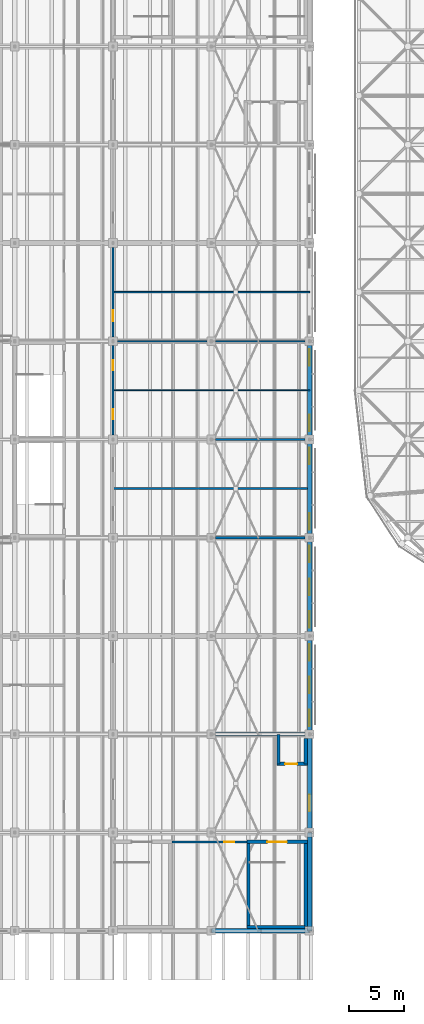
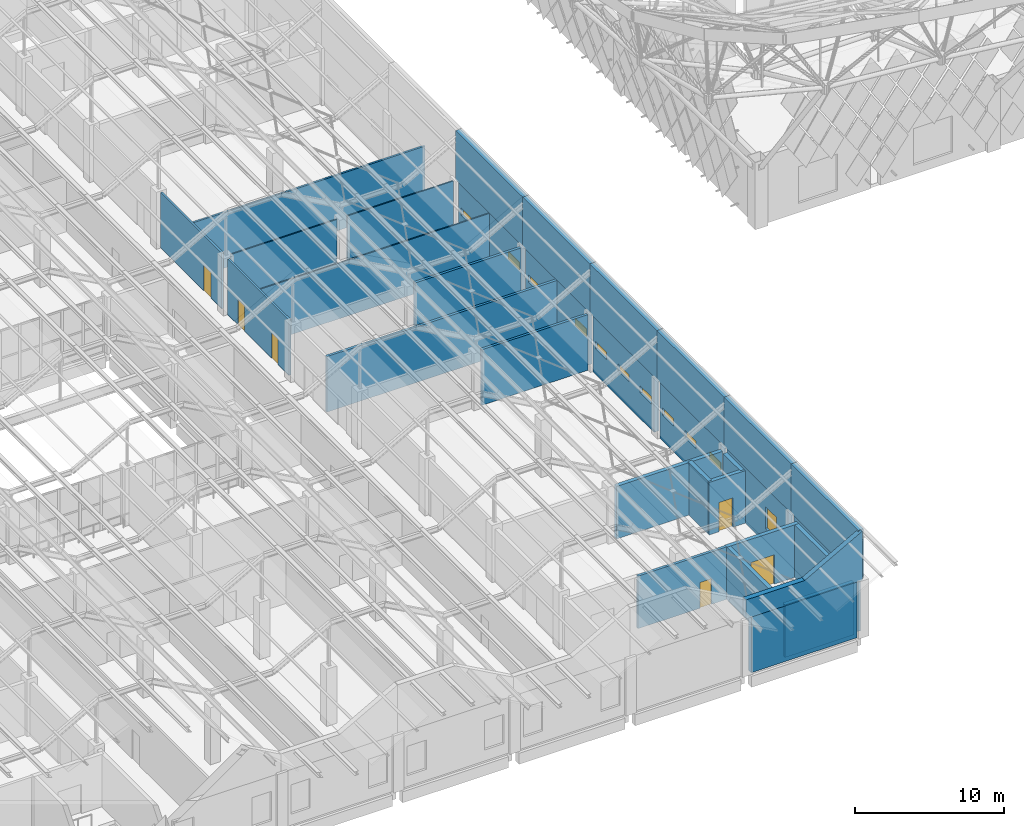
# One storey, part 266 of 437: 32 walls, 11 windows, 6 doors, 17 openings.
"""IFC4 building model written with IfcOpenShell, lengths in metres."""

from ifc_helpers import new_model, si_unit, direction, frame, frame_2d, origin, place, context, subcontext, project, spatial, polyline, rectangle, outline, extrude, material, layer, layer_set, type_object, element, fill, save


model = new_model("IFC4")

# Units and contexts
model_context = context("Model", 3, precision=1e-05, world=origin(), true_north=direction((0.0, 1.0)))
body_context = subcontext(model_context, "Body", "Model", "MODEL_VIEW")
ifc_project = project(units=[si_unit("LENGTHUNIT", "METRE"), si_unit("AREAUNIT", "SQUARE_METRE"), si_unit("VOLUMEUNIT", "CUBIC_METRE"), si_unit("PLANEANGLEUNIT", "RADIAN"), si_unit("MASSUNIT", "GRAM", prefix="KILO")], contexts=[model_context])

# Site, building, storey
site_placement = place(None, origin())
site = spatial("IfcSite", under=ifc_project, at=site_placement, CompositionType="ELEMENT")
building_placement = place(site_placement, origin())
building = spatial("IfcBuilding", under=site, at=building_placement, Name="Opaline Strait Convention Centre", CompositionType="ELEMENT")
storey_placement = place(building_placement, frame((0.0, 0.0, 11.5)))
storey = spatial("IfcBuildingStorey", under=building, at=storey_placement, Name="L02", CompositionType="ELEMENT", Elevation=11.5)

# Wall, opening, door
ifc_material_1 = material(Name="Gypsum board on metal studs with mineral wool")
ifc_layer_1 = layer(ifc_material_1, 0.199951171875)
ifc_layer_set_1 = layer_set([ifc_layer_1], Name="Gypsum board on metal studs with mineral wool")
wall_type_1 = type_object("IfcWallType", Name="Fire partition 200", PredefinedType="PARTITIONING", material=ifc_layer_set_1)
wall_1_placement = place(storey_placement, frame((75.25, 17.14990234375, 0.0), z_axis=(0.0, 0.0, 1.0), x_axis=(-1.0, 0.0, 0.0)))
wall_1 = element("IfcWall", 1, at=wall_1_placement, inside=storey, type_object=wall_type_1, Name="SE core STORE-N wall", PredefinedType="PARTITIONING", context=body_context, shape_type="SweptSolid", body=[
    extrude(rectangle(XDim=6.85009765625, YDim=0.199951171875, at=frame_2d((3.425048828125, 0.0))), origin(), (0.0, 0.0, 1.0), 4.300048828125),
])
opening_1_placement = place(wall_1_placement, frame((1.14990234375, 0.0, 0.0)))
opening_1 = element("IfcOpeningElement", 2, at=opening_1_placement, cuts=wall_1, Name="Opening R2-009", PredefinedType="OPENING", context=body_context, shape_type="SweptSolid", body=[
    extrude(rectangle(XDim=0.89990234375, YDim=2.10009765625, at=frame_2d((0.449951171875, 1.050048828125))), frame((0.0, 0.10986328125, 0.0), z_axis=(0.0, -1.0, 0.0), x_axis=(1.0, 0.0, 0.0)), (0.0, 0.0, 1.0), 0.219970703125),
])
ifc_material_2 = material(Name="Galvanised steel door leaf", Category="steel")
door_type_1 = type_object("IfcDoorType", Name="Services store door 900x2100 FD60", OperationType="SINGLE_SWING_LEFT", PredefinedType="DOOR", material=ifc_material_2)
door_1_placement = place(opening_1_placement, frame((0.89990234375, 0.0, 0.0), z_axis=(0.0, 0.0, 1.0), x_axis=(-1.0, 0.0, 0.0)))
door_1 = element("IfcDoor", 3, at=door_1_placement, inside=storey, type_object=door_type_1, Name="Services store door SE R2-009", ObjectType="RD8", OperationType="SINGLE_SWING_LEFT", OverallHeight=2.10009765625, OverallWidth=0.89990234375, PredefinedType="DOOR", context=body_context, shape_type="SweptSolid", body=[
    extrude(rectangle(XDim=0.89990234375, YDim=2.10009765625, at=frame_2d((0.449951171875, 1.050048828125))), frame((0.0, 0.02490234375, 0.0), z_axis=(0.0, -1.0, 0.0), x_axis=(1.0, 0.0, 0.0)), (0.0, 0.0, 1.0), 0.050048828125),
])
fill(opening_1, door_1)

# Walls
wall_2_placement = place(storey_placement, frame((72.39990234375, 45.0, 0.0), z_axis=(0.0, 0.0, 1.0), x_axis=(1.0, 0.0, 0.0)))
element("IfcWall", 4, at=wall_2_placement, inside=storey, type_object=wall_type_1, Name="L02 partition", PredefinedType="PARTITIONING", context=body_context, shape_type="SweptSolid", body=[
    extrude(rectangle(XDim=8.2001953125, YDim=0.199951171875, at=frame_2d((4.10009765625, 0.0))), origin(), (0.0, 0.0, 1.0), 4.550048828125),
])
wall_3_placement = place(storey_placement, frame((63.0, 49.5, 0.0), z_axis=(0.0, 0.0, 1.0), x_axis=(1.0, 0.0, 0.0)))
element("IfcWall", 5, at=wall_3_placement, inside=storey, type_object=wall_type_1, Name="L02 partition", PredefinedType="PARTITIONING", context=body_context, shape_type="SweptSolid", body=[
    extrude(rectangle(XDim=18.0, YDim=0.199951171875, at=frame_2d((9.0, 0.0))), origin(), (0.0, 0.0, 1.0), 4.550048828125),
])
wall_4_placement = place(storey_placement, frame((72.39990234375, 54.0, 0.0), z_axis=(0.0, 0.0, 1.0), x_axis=(1.0, 0.0, 0.0)))
element("IfcWall", 6, at=wall_4_placement, inside=storey, type_object=wall_type_1, Name="L02 partition", PredefinedType="PARTITIONING", context=body_context, shape_type="SweptSolid", body=[
    extrude(rectangle(XDim=8.2001953125, YDim=0.199951171875, at=frame_2d((4.10009765625, 0.0))), origin(), (0.0, 0.0, 1.0), 4.550048828125),
])
ifc_layer_2 = layer(ifc_material_1, 0.10009765625)
ifc_layer_set_2 = layer_set([ifc_layer_2], Name="Gypsum board on metal studs with mineral wool")
wall_type_2 = type_object("IfcWallType", Name="Light partition 100", PredefinedType="PARTITIONING", material=ifc_layer_set_2)
wall_5_placement = place(storey_placement, frame((63.0, 58.5, 0.0), z_axis=(0.0, 0.0, 1.0), x_axis=(1.0, 0.0, 0.0)))
element("IfcWall", 7, at=wall_5_placement, inside=storey, type_object=wall_type_2, Name="L02 partition", PredefinedType="PARTITIONING", context=body_context, shape_type="SweptSolid", body=[
    extrude(rectangle(XDim=18.0, YDim=0.10009765625, at=frame_2d((9.0, 0.0))), origin(), (0.0, 0.0, 1.0), 4.550048828125),
])
for number, where, z_axis, x_axis, name in (
    (8, (63.39990234375, 63.0, 0.0), (0.0, 0.0, 1.0), (1.0, 0.0, 0.0), "L02 partition"),
    (9, (72.39990234375, 63.0, 0.0), (0.0, 0.0, 1.0), (1.0, 0.0, 0.0), "L02 partition"),
):
    element("IfcWall", number, at=place(storey_placement, frame(where, z_axis=z_axis, x_axis=x_axis)), inside=storey, type_object=wall_type_2, Name=name, PredefinedType="PARTITIONING", context=body_context, shape_type="SweptSolid", body=[
        extrude(rectangle(XDim=8.2001953125, YDim=0.10009765625, at=frame_2d((4.10009765625, 0.0))), origin(), (0.0, 0.0, 1.0), 4.550048828125),
    ])
ifc_layer_3 = layer(ifc_material_1, 0.14990234375)
ifc_layer_set_3 = layer_set([ifc_layer_3], Name="Gypsum board on metal studs with mineral wool")
wall_type_3 = type_object("IfcWallType", Name="Partition 150", PredefinedType="PARTITIONING", material=ifc_layer_set_3)
wall_6_placement = place(storey_placement, frame((63.0, 67.5, 0.0), z_axis=(0.0, 0.0, 1.0), x_axis=(1.0, 0.0, 0.0)))
element("IfcWall", 10, at=wall_6_placement, inside=storey, type_object=wall_type_3, Name="L02 partition", PredefinedType="PARTITIONING", context=body_context, shape_type="SweptSolid", body=[
    extrude(rectangle(XDim=18.0, YDim=0.14990234375, at=frame_2d((9.0, 0.0))), origin(), (0.0, 0.0, 1.0), 4.550048828125),
])

# Wall, openings, doors
wall_7_placement = place(storey_placement, frame((63.0, 54.39990234375, 0.0), z_axis=(0.0, 0.0, 1.0), x_axis=(0.0, 1.0, 0.0)))
wall_7 = element("IfcWall", 11, at=wall_7_placement, inside=storey, type_object=wall_type_3, Name="L02 partition", PredefinedType="PARTITIONING", context=body_context, shape_type="SweptSolid", body=[
    extrude(rectangle(XDim=8.2001953125, YDim=0.14990234375, at=frame_2d((4.10009765625, 0.0))), origin(), (0.0, 0.0, 1.0), 4.550048828125),
])
opening_2_placement = place(wall_7_placement, frame((1.449951171875, 0.0, 0.0)))
opening_2 = element("IfcOpeningElement", 12, at=opening_2_placement, cuts=wall_7, Name="Opening R2-049", PredefinedType="OPENING", context=body_context, shape_type="SweptSolid", body=[
    extrude(rectangle(XDim=0.89990234375, YDim=2.10009765625, at=frame_2d((0.449951171875, 1.050048828125))), frame((0.0, 0.0849609375, 0.0), z_axis=(0.0, -1.0, 0.0), x_axis=(1.0, 0.0, 0.0)), (0.0, 0.0, 1.0), 0.169921875),
])
opening_3_placement = place(wall_7_placement, frame((5.949951171875, 0.0, 0.0)))
opening_3 = element("IfcOpeningElement", 13, at=opening_3_placement, cuts=wall_7, Name="Opening R2-050", PredefinedType="OPENING", context=body_context, shape_type="SweptSolid", body=[
    extrude(rectangle(XDim=0.89990234375, YDim=2.10009765625, at=frame_2d((0.449951171875, 1.050048828125))), frame((0.0, 0.0849609375, 0.0), z_axis=(0.0, -1.0, 0.0), x_axis=(1.0, 0.0, 0.0)), (0.0, 0.0, 1.0), 0.169921875),
])
ifc_material_3 = material(Name="Timber door leaf in steel frame", Category="steel")
door_type_2 = type_object("IfcDoorType", Name="Toilet door 900x2100 FD30", OperationType="SINGLE_SWING_LEFT", PredefinedType="DOOR", material=ifc_material_3)
door_2_placement = place(opening_2_placement, frame((0.89990234375, 0.0, 0.0), z_axis=(0.0, 0.0, 1.0), x_axis=(-1.0, 0.0, 0.0)))
door_2 = element("IfcDoor", 14, at=door_2_placement, inside=storey, type_object=door_type_2, Name="Public Toilets Men door R2-049", ObjectType="RD11", OperationType="SINGLE_SWING_LEFT", OverallHeight=2.10009765625, OverallWidth=0.89990234375, PredefinedType="DOOR", context=body_context, shape_type="SweptSolid", body=[
    extrude(rectangle(XDim=0.89990234375, YDim=2.10009765625, at=frame_2d((0.449951171875, 1.050048828125))), frame((0.0, 0.02490234375, 0.0), z_axis=(0.0, -1.0, 0.0), x_axis=(1.0, 0.0, 0.0)), (0.0, 0.0, 1.0), 0.050048828125),
])
fill(opening_2, door_2)
door_3_placement = place(opening_3_placement, frame((0.89990234375, 0.0, 0.0), z_axis=(0.0, 0.0, 1.0), x_axis=(-1.0, 0.0, 0.0)))
door_3 = element("IfcDoor", 15, at=door_3_placement, inside=storey, type_object=door_type_2, Name="Public Toilets Women door R2-050", ObjectType="RD11", OperationType="SINGLE_SWING_LEFT", OverallHeight=2.10009765625, OverallWidth=0.89990234375, PredefinedType="DOOR", context=body_context, shape_type="SweptSolid", body=[
    extrude(rectangle(XDim=0.89990234375, YDim=2.10009765625, at=frame_2d((0.449951171875, 1.050048828125))), frame((0.0, 0.02490234375, 0.0), z_axis=(0.0, -1.0, 0.0), x_axis=(1.0, 0.0, 0.0)), (0.0, 0.0, 1.0), 0.050048828125),
])
fill(opening_3, door_3)

# Wall, opening, door
wall_8_placement = place(storey_placement, frame((63.0, 63.39990234375, 0.0), z_axis=(0.0, 0.0, 1.0), x_axis=(0.0, 1.0, 0.0)))
wall_8 = element("IfcWall", 16, at=wall_8_placement, inside=storey, type_object=wall_type_3, Name="L02 partition", PredefinedType="PARTITIONING", context=body_context, shape_type="SweptSolid", body=[
    extrude(rectangle(XDim=8.2001953125, YDim=0.14990234375, at=frame_2d((4.10009765625, 0.0))), origin(), (0.0, 0.0, 1.0), 4.550048828125),
])
opening_4_placement = place(wall_8_placement, frame((1.449951171875, 0.0, 0.0)))
opening_4 = element("IfcOpeningElement", 17, at=opening_4_placement, cuts=wall_8, Name="Opening R2-051", PredefinedType="OPENING", context=body_context, shape_type="SweptSolid", body=[
    extrude(rectangle(XDim=1.0, YDim=2.10009765625, at=frame_2d((0.5, 1.050048828125))), frame((0.0, 0.0849609375, 0.0), z_axis=(0.0, -1.0, 0.0), x_axis=(1.0, 0.0, 0.0)), (0.0, 0.0, 1.0), 0.169921875),
])
door_type_3 = type_object("IfcDoorType", Name="Accessible toilet door 1000x2100 FD30", OperationType="SINGLE_SWING_LEFT", PredefinedType="DOOR", material=ifc_material_3)
door_4_placement = place(opening_4_placement, frame((1.0, 0.0, 0.0), z_axis=(0.0, 0.0, 1.0), x_axis=(-1.0, 0.0, 0.0)))
door_4 = element("IfcDoor", 18, at=door_4_placement, inside=storey, type_object=door_type_3, Name="Accessible WC door R2-051", ObjectType="RD13", OperationType="SINGLE_SWING_LEFT", OverallHeight=2.10009765625, OverallWidth=1.0, PredefinedType="DOOR", context=body_context, shape_type="SweptSolid", body=[
    extrude(rectangle(XDim=1.0, YDim=2.10009765625, at=frame_2d((0.5, 1.050048828125))), frame((0.0, 0.02490234375, 0.0), z_axis=(0.0, -1.0, 0.0), x_axis=(1.0, 0.0, 0.0)), (0.0, 0.0, 1.0), 0.050048828125),
])
fill(opening_4, door_4)

# Wall
ifc_material_4 = material(Name="Concrete C40", Category="concrete")
ifc_layer_4 = layer(ifc_material_4, 0.300048828125)
ifc_layer_set_4 = layer_set([ifc_layer_4], Name="Concrete C40")
wall_type_4 = type_object("IfcWallType", Name="RC wall 300 C40", PredefinedType="SOLIDWALL", material=ifc_layer_set_4)
wall_9_placement = place(storey_placement, frame((80.60009765625, 9.35009765625, 0.0), z_axis=(0.0, 0.0, 1.0), x_axis=(-1.0, 0.0, 0.0)))
element("IfcWall", 19, at=wall_9_placement, inside=storey, type_object=wall_type_4, Name="SE core STA-S wall", PredefinedType="SOLIDWALL", context=body_context, shape_type="SweptSolid", body=[
    extrude(rectangle(XDim=5.35009765625, YDim=0.300048828125, at=frame_2d((2.675048828125, 0.0))), origin(), (0.0, 0.0, 1.0), 4.300048828125),
])

# Wall, opening, door
wall_10_placement = place(storey_placement, frame((80.800048828125, 17.14990234375, 0.0), z_axis=(0.0, 0.0, 1.0), x_axis=(-1.0, 0.0, 0.0)))
wall_10 = element("IfcWall", 20, at=wall_10_placement, inside=storey, type_object=wall_type_4, Name="SE core STA-N wall", PredefinedType="SOLIDWALL", context=body_context, shape_type="SweptSolid", body=[
    extrude(rectangle(XDim=5.550048828125, YDim=0.300048828125, at=frame_2d((2.77490234375, 0.0))), origin(), (0.0, 0.0, 1.0), 4.300048828125),
])
opening_5_placement = place(wall_10_placement, frame((1.875, 0.0, 0.0)))
opening_5 = element("IfcOpeningElement", 21, at=opening_5_placement, cuts=wall_10, Name="Opening R2-007", PredefinedType="OPENING", context=body_context, shape_type="SweptSolid", body=[
    extrude(rectangle(XDim=1.800048828125, YDim=2.39990234375, at=frame_2d((0.89990234375, 1.199951171875))), frame((0.0, 0.159912109375, 0.0), z_axis=(0.0, -1.0, 0.0), x_axis=(1.0, 0.0, 0.0)), (0.0, 0.0, 1.0), 0.320068359375),
])
ifc_material_5 = material(Name="Timber door leaves in steel frame", Category="steel")
door_type_4 = type_object("IfcDoorType", Name="Stair door 1800x2400 double FD60", OperationType="DOUBLE_DOOR_SINGLE_SWING", PredefinedType="DOOR", material=ifc_material_5)
door_5_placement = place(opening_5_placement, frame((1.800048828125, 0.0, 0.0), z_axis=(0.0, 0.0, 1.0), x_axis=(-1.0, 0.0, 0.0)))
door_5 = element("IfcDoor", 22, at=door_5_placement, inside=storey, type_object=door_type_4, Name="Stair door SEA R2-007", ObjectType="RD7", OperationType="DOUBLE_DOOR_SINGLE_SWING", OverallHeight=2.39990234375, OverallWidth=1.800048828125, PredefinedType="DOOR", context=body_context, shape_type="SweptSolid", body=[
    extrude(rectangle(XDim=1.800048828125, YDim=2.39990234375, at=frame_2d((0.89990234375, 1.199951171875))), frame((0.0, 0.02490234375, 0.0), z_axis=(0.0, -1.0, 0.0), x_axis=(1.0, 0.0, 0.0)), (0.0, 0.0, 1.0), 0.050048828125),
])
fill(opening_5, door_5)

# Walls
wall_11_placement = place(storey_placement, frame((80.64990234375, 9.39990234375, 0.0), z_axis=(0.0, 0.0, 1.0), x_axis=(0.0, 1.0, 0.0)))
element("IfcWall", 23, at=wall_11_placement, inside=storey, type_object=wall_type_4, Name="SE core STA-W wall", PredefinedType="SOLIDWALL", context=body_context, shape_type="SweptSolid", body=[
    extrude(rectangle(XDim=7.900146484375, YDim=0.300048828125, at=frame_2d((3.9501953125, 0.0))), origin(), (0.0, 0.0, 1.0), 4.300048828125),
])
wall_12_placement = place(storey_placement, frame((75.39990234375, 9.199951171875, 0.0), z_axis=(0.0, 0.0, 1.0), x_axis=(0.0, 1.0, 0.0)))
element("IfcWall", 24, at=wall_12_placement, inside=storey, type_object=wall_type_4, Name="SE core STA-E wall", PredefinedType="SOLIDWALL", context=body_context, shape_type="SweptSolid", body=[
    extrude(rectangle(XDim=8.10009765625, YDim=0.300048828125, at=frame_2d((4.050048828125, 0.0))), origin(), (0.0, 0.0, 1.0), 4.300048828125),
])
wall_13_placement = place(storey_placement, frame((80.60009765625, 27.0, 0.0), z_axis=(0.0, 0.0, 1.0), x_axis=(-1.0, 0.0, 0.0)))
element("IfcWall", 25, at=wall_13_placement, inside=storey, type_object=wall_type_4, Name="SE core BND-N wall", PredefinedType="SOLIDWALL", context=body_context, shape_type="SweptSolid", body=[
    extrude(rectangle(XDim=8.2001953125, YDim=0.300048828125, at=frame_2d((4.10009765625, 0.0))), origin(), (0.0, 0.0, 1.0), 4.300048828125),
])

# Wall, opening, door
wall_14_placement = place(storey_placement, frame((80.800048828125, 24.300048828125, 0.0), z_axis=(0.0, 0.0, 1.0), x_axis=(-1.0, 0.0, 0.0)))
wall_14 = element("IfcWall", 26, at=wall_14_placement, inside=storey, type_object=wall_type_4, Name="SE core LIFT-S wall", PredefinedType="SOLIDWALL", context=body_context, shape_type="SweptSolid", body=[
    extrude(rectangle(XDim=2.800048828125, YDim=0.300048828125, at=frame_2d((1.39990234375, 0.0))), origin(), (0.0, 0.0, 1.0), 4.300048828125),
])
opening_6_placement = place(wall_14_placement, frame((0.949951171875, 0.0, 0.0)))
opening_6 = element("IfcOpeningElement", 27, at=opening_6_placement, cuts=wall_14, Name="Opening R2-011", PredefinedType="OPENING", context=body_context, shape_type="SweptSolid", body=[
    extrude(rectangle(XDim=1.10009765625, YDim=2.39990234375, at=frame_2d((0.550048828125, 1.199951171875))), frame((0.0, 0.159912109375, 0.0), z_axis=(0.0, -1.0, 0.0), x_axis=(1.0, 0.0, 0.0)), (0.0, 0.0, 1.0), 0.320068359375),
])
ifc_material_6 = material(Name="Stainless steel 304 door leaves", Category="steel")
door_type_5 = type_object("IfcDoorType", Name="Lift landing door 1100x2400 sliding FD60", OperationType="SLIDING_TO_LEFT", PredefinedType="DOOR", material=ifc_material_6)
door_6_placement = place(opening_6_placement, origin())
door_6 = element("IfcDoor", 28, at=door_6_placement, inside=storey, type_object=door_type_5, Name="Lift landing door SEP R2-011", ObjectType="LD1", OperationType="SLIDING_TO_LEFT", OverallHeight=2.39990234375, OverallWidth=1.10009765625, PredefinedType="DOOR", context=body_context, shape_type="SweptSolid", body=[
    extrude(rectangle(XDim=1.10009765625, YDim=2.39990234375, at=frame_2d((0.550048828125, 1.199951171875))), frame((0.0, 0.02490234375, 0.0), z_axis=(0.0, -1.0, 0.0), x_axis=(1.0, 0.0, 0.0)), (0.0, 0.0, 1.0), 0.050048828125),
])
fill(opening_6, door_6)

# Walls
wall_15_placement = place(storey_placement, frame((78.14990234375, 24.300048828125, 0.0), z_axis=(0.0, 0.0, 1.0), x_axis=(0.0, 1.0, 0.0)))
element("IfcWall", 29, at=wall_15_placement, inside=storey, type_object=wall_type_4, Name="SE core LIFT-M wall", PredefinedType="SOLIDWALL", context=body_context, shape_type="SweptSolid", body=[
    extrude(rectangle(XDim=2.699951171875, YDim=0.300048828125, at=frame_2d((1.35009765625, 0.0))), origin(), (0.0, 0.0, 1.0), 4.300048828125),
])
wall_16_placement = place(storey_placement, frame((80.64990234375, 24.300048828125, 0.0), z_axis=(0.0, 0.0, 1.0), x_axis=(0.0, 1.0, 0.0)))
element("IfcWall", 30, at=wall_16_placement, inside=storey, type_object=wall_type_4, Name="SE core LIFT-W wall", PredefinedType="SOLIDWALL", context=body_context, shape_type="SweptSolid", body=[
    extrude(rectangle(XDim=2.300048828125, YDim=0.300048828125, at=frame_2d((1.14990234375, 0.0))), origin(), (0.0, 0.0, 1.0), 4.300048828125),
])
ifc_layer_5 = layer(ifc_material_4, 0.320068359375)
ifc_material_7 = material(Name="Mineral wool insulation")
ifc_layer_6 = layer(ifc_material_7, 0.050048828125)
ifc_material_8 = material(Name="Gypsum board lining")
ifc_layer_7 = layer(ifc_material_8, 0.030029296875)
ifc_layer_set_5 = layer_set([ifc_layer_5, ifc_layer_6, ifc_layer_7], Name="Concrete C40, Mineral wool insulation, Gypsum board lining")
wall_type_5 = type_object("IfcWallType", Name="RC wall 400 C40", PredefinedType="SOLIDWALL", material=ifc_layer_set_5)
wall_17_placement = place(storey_placement, frame((72.0, 9.0, 4.550048828125), z_axis=(0.0, 0.0, 1.0), x_axis=(1.0, 0.0, 0.0)))
element("IfcWall", 31, at=wall_17_placement, inside=storey, type_object=wall_type_5, Name="S roof infill wall 8", PredefinedType="SOLIDWALL", context=body_context, shape_type="SweptSolid", body=[
    extrude(outline(polyline([(0.0, 0.0), (9.0, 0.0), (9.0, 4.0283203125), (4.538818359375, 1.550048828125), (0.0, 1.550048828125), (0.0, 0.0)])), frame((0.0, 0.199951171875, 0.0), z_axis=(0.0, -1.0, 0.0), x_axis=(1.0, 0.0, 0.0)), (0.0, 0.0, 1.0), 0.39990234375),
])
for number, where, z_axis, x_axis, name in (
    (32, (81.0, 9.0, 4.550048828125), (0.0, 0.0, 1.0), (0.0, 1.0, 0.0), "E roof infill wall 1"),
    (33, (81.0, 18.0, 4.550048828125), (0.0, 0.0, 1.0), (0.0, 1.0, 0.0), "E roof infill wall 2"),
    (34, (81.0, 27.0, 4.550048828125), (0.0, 0.0, 1.0), (0.0, 1.0, 0.0), "E roof infill wall 3"),
    (35, (81.0, 36.0, 4.550048828125), (0.0, 0.0, 1.0), (0.0, 1.0, 0.0), "E roof infill wall 4"),
    (36, (81.0, 45.0, 4.550048828125), (0.0, 0.0, 1.0), (0.0, 1.0, 0.0), "E roof infill wall 5"),
    (37, (81.0, 54.0, 4.550048828125), (0.0, 0.0, 1.0), (0.0, 1.0, 0.0), "E roof infill wall 6"),
):
    element("IfcWall", number, at=place(storey_placement, frame(where, z_axis=z_axis, x_axis=x_axis)), inside=storey, type_object=wall_type_5, Name=name, PredefinedType="SOLIDWALL", context=body_context, shape_type="SweptSolid", body=[
        extrude(rectangle(XDim=9.0, YDim=0.39990234375, at=frame_2d((4.5, 0.0))), origin(), (0.0, 0.0, 1.0), 4.0283203125),
    ])
for number, where, z_axis, x_axis, name in (
    (38, (72.39990234375, 9.0, 0.0), (0.0, 0.0, 1.0), (1.0, 0.0, 0.0), "L02 S external wall 8"),
    (39, (81.0, 9.39990234375, 0.0), (0.0, 0.0, 1.0), (0.0, 1.0, 0.0), "L02 E external wall 1"),
):
    element("IfcWall", number, at=place(storey_placement, frame(where, z_axis=z_axis, x_axis=x_axis)), inside=storey, type_object=wall_type_5, Name=name, PredefinedType="SOLIDWALL", context=body_context, shape_type="SweptSolid", body=[
        extrude(rectangle(XDim=8.2001953125, YDim=0.39990234375, at=frame_2d((4.10009765625, 0.0))), origin(), (0.0, 0.0, 1.0), 4.550048828125),
    ])

# Wall, opening, window
wall_18_placement = place(storey_placement, frame((81.0, 18.39990234375, 0.0), z_axis=(0.0, 0.0, 1.0), x_axis=(0.0, 1.0, 0.0)))
wall_18 = element("IfcWall", 40, at=wall_18_placement, inside=storey, type_object=wall_type_5, Name="L02 E external wall 2", PredefinedType="SOLIDWALL", context=body_context, shape_type="SweptSolid", body=[
    extrude(rectangle(XDim=8.2001953125, YDim=0.39990234375, at=frame_2d((4.10009765625, 0.0))), origin(), (0.0, 0.0, 1.0), 4.550048828125),
])
opening_7_placement = place(wall_18_placement, frame((1.550048828125, 0.0, 1.199951171875)))
opening_7 = element("IfcOpeningElement", 41, at=opening_7_placement, cuts=wall_18, Name="Opening RWN4", PredefinedType="OPENING", context=body_context, shape_type="SweptSolid", body=[
    extrude(rectangle(XDim=1.5, YDim=1.800048828125, at=frame_2d((0.75, 0.89990234375))), frame((0.0, 0.2099609375, 0.0), z_axis=(0.0, -1.0, 0.0), x_axis=(1.0, 0.0, 0.0)), (0.0, 0.0, 1.0), 0.419921875),
])
ifc_material_9 = material(Name="Aluminium framed double glazing", Category="aluminium")
window_type_1 = type_object("IfcWindowType", Name="Window 1500x1800 sill 1200", PartitioningType="SINGLE_PANEL", PredefinedType="WINDOW", material=ifc_material_9)
window_1_placement = place(opening_7_placement, origin())
window_1 = element("IfcWindow", 42, at=window_1_placement, inside=storey, type_object=window_type_1, Name="Window L02-E2-W1", OverallHeight=1.800048828125, OverallWidth=1.5, PartitioningType="SINGLE_PANEL", PredefinedType="WINDOW", context=body_context, shape_type="SweptSolid", body=[
    extrude(rectangle(XDim=1.5, YDim=1.800048828125, at=frame_2d((0.75, 0.89990234375))), frame((0.0, 0.030029296875, 0.0), z_axis=(0.0, -1.0, 0.0), x_axis=(1.0, 0.0, 0.0)), (0.0, 0.0, 1.0), 0.06005859375),
])
fill(opening_7, window_1)

# Wall, openings, windows
wall_19_placement = place(storey_placement, frame((81.0, 27.39990234375, 0.0), z_axis=(0.0, 0.0, 1.0), x_axis=(0.0, 1.0, 0.0)))
wall_19 = element("IfcWall", 43, at=wall_19_placement, inside=storey, type_object=wall_type_5, Name="L02 E external wall 3", PredefinedType="SOLIDWALL", context=body_context, shape_type="SweptSolid", body=[
    extrude(rectangle(XDim=8.2001953125, YDim=0.39990234375, at=frame_2d((4.10009765625, 0.0))), origin(), (0.0, 0.0, 1.0), 4.550048828125),
])
opening_8_placement = place(wall_19_placement, frame((0.35009765625, 0.0, 2.10009765625)))
opening_8 = element("IfcOpeningElement", 44, at=opening_8_placement, cuts=wall_19, Name="Opening RWN5", PredefinedType="OPENING", context=body_context, shape_type="SweptSolid", body=[
    extrude(rectangle(XDim=1.5, YDim=0.60009765625, at=frame_2d((0.75, 0.300048828125))), frame((0.0, 0.2099609375, 0.0), z_axis=(0.0, -1.0, 0.0), x_axis=(1.0, 0.0, 0.0)), (0.0, 0.0, 1.0), 0.419921875),
])
opening_9_placement = place(wall_19_placement, frame((3.35009765625, 0.0, 2.10009765625)))
opening_9 = element("IfcOpeningElement", 45, at=opening_9_placement, cuts=wall_19, Name="Opening RWN5", PredefinedType="OPENING", context=body_context, shape_type="SweptSolid", body=[
    extrude(rectangle(XDim=1.5, YDim=0.60009765625, at=frame_2d((0.75, 0.300048828125))), frame((0.0, 0.2099609375, 0.0), z_axis=(0.0, -1.0, 0.0), x_axis=(1.0, 0.0, 0.0)), (0.0, 0.0, 1.0), 0.419921875),
])
opening_10_placement = place(wall_19_placement, frame((6.35009765625, 0.0, 2.10009765625)))
opening_10 = element("IfcOpeningElement", 46, at=opening_10_placement, cuts=wall_19, Name="Opening RWN5", PredefinedType="OPENING", context=body_context, shape_type="SweptSolid", body=[
    extrude(rectangle(XDim=1.5, YDim=0.60009765625, at=frame_2d((0.75, 0.300048828125))), frame((0.0, 0.2099609375, 0.0), z_axis=(0.0, -1.0, 0.0), x_axis=(1.0, 0.0, 0.0)), (0.0, 0.0, 1.0), 0.419921875),
])
window_type_2 = type_object("IfcWindowType", Name="Window 1500x600 sill 2100", PartitioningType="SINGLE_PANEL", PredefinedType="WINDOW", material=ifc_material_9)
window_2_placement = place(opening_8_placement, origin())
window_2 = element("IfcWindow", 47, at=window_2_placement, inside=storey, type_object=window_type_2, Name="Window L02-E3-W1", OverallHeight=0.60009765625, OverallWidth=1.5, PartitioningType="SINGLE_PANEL", PredefinedType="WINDOW", context=body_context, shape_type="SweptSolid", body=[
    extrude(rectangle(XDim=1.5, YDim=0.60009765625, at=frame_2d((0.75, 0.300048828125))), frame((0.0, 0.030029296875, 0.0), z_axis=(0.0, -1.0, 0.0), x_axis=(1.0, 0.0, 0.0)), (0.0, 0.0, 1.0), 0.06005859375),
])
fill(opening_8, window_2)
window_3_placement = place(opening_9_placement, origin())
window_3 = element("IfcWindow", 48, at=window_3_placement, inside=storey, type_object=window_type_2, Name="Window L02-E3-W2", OverallHeight=0.60009765625, OverallWidth=1.5, PartitioningType="SINGLE_PANEL", PredefinedType="WINDOW", context=body_context, shape_type="SweptSolid", body=[
    extrude(rectangle(XDim=1.5, YDim=0.60009765625, at=frame_2d((0.75, 0.300048828125))), frame((0.0, 0.030029296875, 0.0), z_axis=(0.0, -1.0, 0.0), x_axis=(1.0, 0.0, 0.0)), (0.0, 0.0, 1.0), 0.06005859375),
])
fill(opening_9, window_3)
window_4_placement = place(opening_10_placement, origin())
window_4 = element("IfcWindow", 49, at=window_4_placement, inside=storey, type_object=window_type_2, Name="Window L02-E3-W3", OverallHeight=0.60009765625, OverallWidth=1.5, PartitioningType="SINGLE_PANEL", PredefinedType="WINDOW", context=body_context, shape_type="SweptSolid", body=[
    extrude(rectangle(XDim=1.5, YDim=0.60009765625, at=frame_2d((0.75, 0.300048828125))), frame((0.0, 0.030029296875, 0.0), z_axis=(0.0, -1.0, 0.0), x_axis=(1.0, 0.0, 0.0)), (0.0, 0.0, 1.0), 0.06005859375),
])
fill(opening_10, window_4)

wall_20_placement = place(storey_placement, frame((81.0, 36.39990234375, 0.0), z_axis=(0.0, 0.0, 1.0), x_axis=(0.0, 1.0, 0.0)))
wall_20 = element("IfcWall", 50, at=wall_20_placement, inside=storey, type_object=wall_type_5, Name="L02 E external wall 4", PredefinedType="SOLIDWALL", context=body_context, shape_type="SweptSolid", body=[
    extrude(rectangle(XDim=8.2001953125, YDim=0.39990234375, at=frame_2d((4.10009765625, 0.0))), origin(), (0.0, 0.0, 1.0), 4.550048828125),
])
opening_11_placement = place(wall_20_placement, frame((0.35009765625, 0.0, 2.10009765625)))
opening_11 = element("IfcOpeningElement", 51, at=opening_11_placement, cuts=wall_20, Name="Opening RWN5", PredefinedType="OPENING", context=body_context, shape_type="SweptSolid", body=[
    extrude(rectangle(XDim=1.5, YDim=0.60009765625, at=frame_2d((0.75, 0.300048828125))), frame((0.0, 0.2099609375, 0.0), z_axis=(0.0, -1.0, 0.0), x_axis=(1.0, 0.0, 0.0)), (0.0, 0.0, 1.0), 0.419921875),
])
opening_12_placement = place(wall_20_placement, frame((3.35009765625, 0.0, 2.10009765625)))
opening_12 = element("IfcOpeningElement", 52, at=opening_12_placement, cuts=wall_20, Name="Opening RWN5", PredefinedType="OPENING", context=body_context, shape_type="SweptSolid", body=[
    extrude(rectangle(XDim=1.5, YDim=0.60009765625, at=frame_2d((0.75, 0.300048828125))), frame((0.0, 0.2099609375, 0.0), z_axis=(0.0, -1.0, 0.0), x_axis=(1.0, 0.0, 0.0)), (0.0, 0.0, 1.0), 0.419921875),
])
opening_13_placement = place(wall_20_placement, frame((6.35009765625, 0.0, 2.10009765625)))
opening_13 = element("IfcOpeningElement", 53, at=opening_13_placement, cuts=wall_20, Name="Opening RWN5", PredefinedType="OPENING", context=body_context, shape_type="SweptSolid", body=[
    extrude(rectangle(XDim=1.5, YDim=0.60009765625, at=frame_2d((0.75, 0.300048828125))), frame((0.0, 0.2099609375, 0.0), z_axis=(0.0, -1.0, 0.0), x_axis=(1.0, 0.0, 0.0)), (0.0, 0.0, 1.0), 0.419921875),
])
window_5_placement = place(opening_11_placement, origin())
window_5 = element("IfcWindow", 54, at=window_5_placement, inside=storey, type_object=window_type_2, Name="Window L02-E4-W1", OverallHeight=0.60009765625, OverallWidth=1.5, PartitioningType="SINGLE_PANEL", PredefinedType="WINDOW", context=body_context, shape_type="SweptSolid", body=[
    extrude(rectangle(XDim=1.5, YDim=0.60009765625, at=frame_2d((0.75, 0.300048828125))), frame((0.0, 0.030029296875, 0.0), z_axis=(0.0, -1.0, 0.0), x_axis=(1.0, 0.0, 0.0)), (0.0, 0.0, 1.0), 0.06005859375),
])
fill(opening_11, window_5)
window_6_placement = place(opening_12_placement, origin())
window_6 = element("IfcWindow", 55, at=window_6_placement, inside=storey, type_object=window_type_2, Name="Window L02-E4-W2", OverallHeight=0.60009765625, OverallWidth=1.5, PartitioningType="SINGLE_PANEL", PredefinedType="WINDOW", context=body_context, shape_type="SweptSolid", body=[
    extrude(rectangle(XDim=1.5, YDim=0.60009765625, at=frame_2d((0.75, 0.300048828125))), frame((0.0, 0.030029296875, 0.0), z_axis=(0.0, -1.0, 0.0), x_axis=(1.0, 0.0, 0.0)), (0.0, 0.0, 1.0), 0.06005859375),
])
fill(opening_12, window_6)
window_7_placement = place(opening_13_placement, origin())
window_7 = element("IfcWindow", 56, at=window_7_placement, inside=storey, type_object=window_type_2, Name="Window L02-E4-W3", OverallHeight=0.60009765625, OverallWidth=1.5, PartitioningType="SINGLE_PANEL", PredefinedType="WINDOW", context=body_context, shape_type="SweptSolid", body=[
    extrude(rectangle(XDim=1.5, YDim=0.60009765625, at=frame_2d((0.75, 0.300048828125))), frame((0.0, 0.030029296875, 0.0), z_axis=(0.0, -1.0, 0.0), x_axis=(1.0, 0.0, 0.0)), (0.0, 0.0, 1.0), 0.06005859375),
])
fill(opening_13, window_7)

wall_21_placement = place(storey_placement, frame((81.0, 45.39990234375, 0.0), z_axis=(0.0, 0.0, 1.0), x_axis=(0.0, 1.0, 0.0)))
wall_21 = element("IfcWall", 57, at=wall_21_placement, inside=storey, type_object=wall_type_5, Name="L02 E external wall 5", PredefinedType="SOLIDWALL", context=body_context, shape_type="SweptSolid", body=[
    extrude(rectangle(XDim=8.2001953125, YDim=0.39990234375, at=frame_2d((4.10009765625, 0.0))), origin(), (0.0, 0.0, 1.0), 4.550048828125),
])
opening_14_placement = place(wall_21_placement, frame((0.35009765625, 0.0, 2.10009765625)))
opening_14 = element("IfcOpeningElement", 58, at=opening_14_placement, cuts=wall_21, Name="Opening RWN5", PredefinedType="OPENING", context=body_context, shape_type="SweptSolid", body=[
    extrude(rectangle(XDim=1.5, YDim=0.60009765625, at=frame_2d((0.75, 0.300048828125))), frame((0.0, 0.2099609375, 0.0), z_axis=(0.0, -1.0, 0.0), x_axis=(1.0, 0.0, 0.0)), (0.0, 0.0, 1.0), 0.419921875),
])
opening_15_placement = place(wall_21_placement, frame((6.35009765625, 0.0, 2.10009765625)))
opening_15 = element("IfcOpeningElement", 59, at=opening_15_placement, cuts=wall_21, Name="Opening RWN5", PredefinedType="OPENING", context=body_context, shape_type="SweptSolid", body=[
    extrude(rectangle(XDim=1.5, YDim=0.60009765625, at=frame_2d((0.75, 0.300048828125))), frame((0.0, 0.2099609375, 0.0), z_axis=(0.0, -1.0, 0.0), x_axis=(1.0, 0.0, 0.0)), (0.0, 0.0, 1.0), 0.419921875),
])
window_8_placement = place(opening_14_placement, origin())
window_8 = element("IfcWindow", 60, at=window_8_placement, inside=storey, type_object=window_type_2, Name="Window L02-E5-W1", OverallHeight=0.60009765625, OverallWidth=1.5, PartitioningType="SINGLE_PANEL", PredefinedType="WINDOW", context=body_context, shape_type="SweptSolid", body=[
    extrude(rectangle(XDim=1.5, YDim=0.60009765625, at=frame_2d((0.75, 0.300048828125))), frame((0.0, 0.030029296875, 0.0), z_axis=(0.0, -1.0, 0.0), x_axis=(1.0, 0.0, 0.0)), (0.0, 0.0, 1.0), 0.06005859375),
])
fill(opening_14, window_8)
window_9_placement = place(opening_15_placement, origin())
window_9 = element("IfcWindow", 61, at=window_9_placement, inside=storey, type_object=window_type_2, Name="Window L02-E5-W3", OverallHeight=0.60009765625, OverallWidth=1.5, PartitioningType="SINGLE_PANEL", PredefinedType="WINDOW", context=body_context, shape_type="SweptSolid", body=[
    extrude(rectangle(XDim=1.5, YDim=0.60009765625, at=frame_2d((0.75, 0.300048828125))), frame((0.0, 0.030029296875, 0.0), z_axis=(0.0, -1.0, 0.0), x_axis=(1.0, 0.0, 0.0)), (0.0, 0.0, 1.0), 0.06005859375),
])
fill(opening_15, window_9)

wall_22_placement = place(storey_placement, frame((81.0, 54.39990234375, 0.0), z_axis=(0.0, 0.0, 1.0), x_axis=(0.0, 1.0, 0.0)))
wall_22 = element("IfcWall", 62, at=wall_22_placement, inside=storey, type_object=wall_type_5, Name="L02 E external wall 6", PredefinedType="SOLIDWALL", context=body_context, shape_type="SweptSolid", body=[
    extrude(rectangle(XDim=8.2001953125, YDim=0.39990234375, at=frame_2d((4.10009765625, 0.0))), origin(), (0.0, 0.0, 1.0), 4.550048828125),
])
opening_16_placement = place(wall_22_placement, frame((0.35009765625, 0.0, 2.10009765625)))
opening_16 = element("IfcOpeningElement", 63, at=opening_16_placement, cuts=wall_22, Name="Opening RWN5", PredefinedType="OPENING", context=body_context, shape_type="SweptSolid", body=[
    extrude(rectangle(XDim=1.5, YDim=0.60009765625, at=frame_2d((0.75, 0.300048828125))), frame((0.0, 0.2099609375, 0.0), z_axis=(0.0, -1.0, 0.0), x_axis=(1.0, 0.0, 0.0)), (0.0, 0.0, 1.0), 0.419921875),
])
opening_17_placement = place(wall_22_placement, frame((6.35009765625, 0.0, 2.10009765625)))
opening_17 = element("IfcOpeningElement", 64, at=opening_17_placement, cuts=wall_22, Name="Opening RWN5", PredefinedType="OPENING", context=body_context, shape_type="SweptSolid", body=[
    extrude(rectangle(XDim=1.5, YDim=0.60009765625, at=frame_2d((0.75, 0.300048828125))), frame((0.0, 0.2099609375, 0.0), z_axis=(0.0, -1.0, 0.0), x_axis=(1.0, 0.0, 0.0)), (0.0, 0.0, 1.0), 0.419921875),
])
window_10_placement = place(opening_16_placement, origin())
window_10 = element("IfcWindow", 65, at=window_10_placement, inside=storey, type_object=window_type_2, Name="Window L02-E6-W1", OverallHeight=0.60009765625, OverallWidth=1.5, PartitioningType="SINGLE_PANEL", PredefinedType="WINDOW", context=body_context, shape_type="SweptSolid", body=[
    extrude(rectangle(XDim=1.5, YDim=0.60009765625, at=frame_2d((0.75, 0.300048828125))), frame((0.0, 0.030029296875, 0.0), z_axis=(0.0, -1.0, 0.0), x_axis=(1.0, 0.0, 0.0)), (0.0, 0.0, 1.0), 0.06005859375),
])
fill(opening_16, window_10)
window_11_placement = place(opening_17_placement, origin())
window_11 = element("IfcWindow", 66, at=window_11_placement, inside=storey, type_object=window_type_2, Name="Window L02-E6-W3", OverallHeight=0.60009765625, OverallWidth=1.5, PartitioningType="SINGLE_PANEL", PredefinedType="WINDOW", context=body_context, shape_type="SweptSolid", body=[
    extrude(rectangle(XDim=1.5, YDim=0.60009765625, at=frame_2d((0.75, 0.300048828125))), frame((0.0, 0.030029296875, 0.0), z_axis=(0.0, -1.0, 0.0), x_axis=(1.0, 0.0, 0.0)), (0.0, 0.0, 1.0), 0.06005859375),
])
fill(opening_17, window_11)

save(model, "model.ifc")
